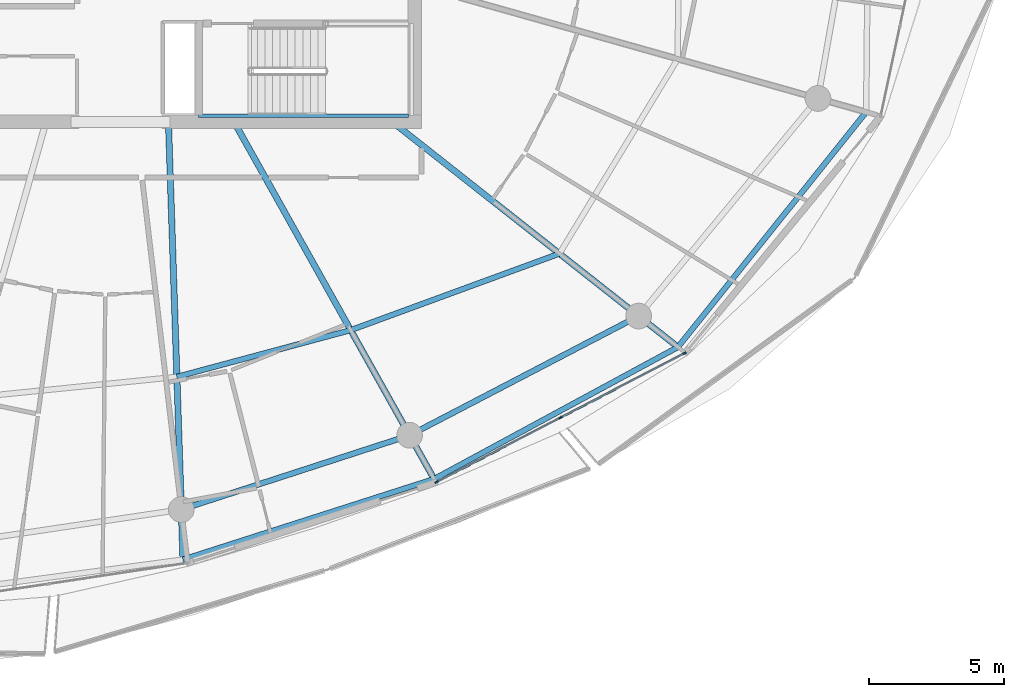
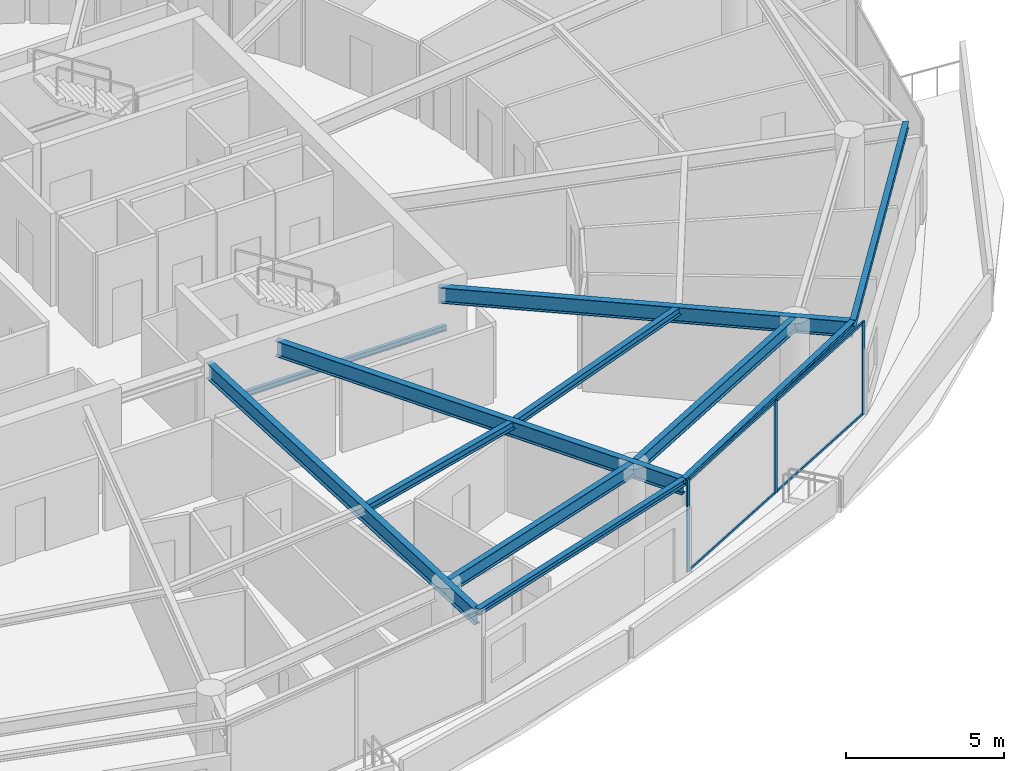
# One storey, part 10 of 31: 11 beams, 7 members, 1 element without a shape of its own.
"""IFC4 building model written with IfcOpenShell, lengths in metres."""

import ifcopenshell
import ifcopenshell.guid

model = None  # the IFC model being written
_history = None  # IfcOwnerHistory: only IFC2X3 demands one
_inside = {}  # id of a spatial element -> (the spatial element, [elements in it])
_under = {}  # id of a project, library or spatial element -> (it, [spatial elements below it])
_declared = {}  # id of a project -> (the project, [libraries it declares])
_typed = {}  # id of a type object -> (the type object, [elements of that type])
_made_of = {}  # id of a material, layer set ... -> (it, [elements and type objects made of it])


def new_model(schema):
    """Start an empty IFC model of exactly this schema.

    Asked for "IFC4X3", IfcOpenShell would pick the latest addendum, in which some entities
    have other attributes; the version numbers below select the first issue.
    IFC2X3 requires an IfcOwnerHistory on every rooted entity: one is made here for all.
    """
    global model, _history
    if schema == "IFC4X3":
        model = ifcopenshell.file(schema_version=(4, 3, 0, 0))
    else:
        model = ifcopenshell.file(schema=schema)
    _inside.clear()
    _under.clear()
    _declared.clear()
    _typed.clear()
    _made_of.clear()
    _history = None
    if model.schema == "IFC2X3":
        org = make("IfcOrganization", Name="unknown")
        user = make(
            "IfcPersonAndOrganization",
            ThePerson=make("IfcPerson", FamilyName="unknown"),
            TheOrganization=org,
        )
        app = make(
            "IfcApplication",
            ApplicationDeveloper=org,
            Version="unknown",
            ApplicationFullName="unknown",
            ApplicationIdentifier="unknown",
        )
        _history = make(
            "IfcOwnerHistory",
            OwningUser=user,
            OwningApplication=app,
            ChangeAction="ADDED",
            CreationDate=0,
        )
    return model


def make(cls, **values):
    """One entity of the class cls with the attributes given. An attribute that is None is left unset."""
    return model.create_entity(
        cls, **{name: value for name, value in values.items() if value is not None}
    )


def rooted(cls, **values):
    """An entity with a GlobalId (a new one), such as an element, a storey or a relation."""
    return make(cls, GlobalId=ifcopenshell.guid.new(), OwnerHistory=_history, **values)


def si_unit(unit_type, name, prefix=None):
    """IfcSIUnit, for example si_unit("LENGTHUNIT", "METRE", prefix="MILLI")."""
    return make("IfcSIUnit", UnitType=unit_type, Prefix=prefix, Name=name)


def assignment(units):
    """IfcUnitAssignment: the units of a project."""
    return None if units is None else make("IfcUnitAssignment", Units=units)


def point(xyz):
    """IfcCartesianPoint."""
    return None if xyz is None else make("IfcCartesianPoint", Coordinates=xyz)


def direction(xyz):
    """IfcDirection."""
    return None if xyz is None else make("IfcDirection", DirectionRatios=xyz)


def frame(location, z_axis=None, x_axis=None):
    """IfcAxis2Placement3D, a coordinate frame: its origin and axes. An axis left out is left unset."""
    return make(
        "IfcAxis2Placement3D",
        Location=point(location),
        Axis=direction(z_axis),
        RefDirection=direction(x_axis),
    )


def frame_2d(location, x_axis=None):
    """IfcAxis2Placement2D, a coordinate frame in the plane: its origin and x axis."""
    return make(
        "IfcAxis2Placement2D", Location=point(location), RefDirection=direction(x_axis)
    )


def origin():
    """The frame at (0, 0, 0) with its axes left unset."""
    return frame((0.0, 0.0, 0.0))


def origin_2d():
    """The frame at (0, 0) in the plane with its x axis left unset."""
    return frame_2d((0.0, 0.0))


def place(relative_to, where):
    """IfcLocalPlacement: puts the frame where relative to a parent placement (None: the world)."""
    return make(
        "IfcLocalPlacement", PlacementRelTo=relative_to, RelativePlacement=where
    )


def context(
    kind, dimensions, precision=None, world=None, true_north=None, identifier=None
):
    """IfcGeometricRepresentationContext, for example the 3D "Model" context."""
    return make(
        "IfcGeometricRepresentationContext",
        ContextIdentifier=identifier,
        ContextType=kind,
        CoordinateSpaceDimension=dimensions,
        Precision=precision,
        WorldCoordinateSystem=world,
        TrueNorth=true_north,
    )


def subcontext(parent, identifier, kind, view, scale=None):
    """IfcGeometricRepresentationSubContext, for example "Body" below "Model"."""
    return make(
        "IfcGeometricRepresentationSubContext",
        ContextIdentifier=identifier,
        ContextType=kind,
        ParentContext=parent,
        TargetScale=scale,
        TargetView=view,
    )


def project(units=None, contexts=None):
    """IfcProject with its units and contexts."""
    return rooted(
        "IfcProject",
        Name="project",
        RepresentationContexts=contexts,
        UnitsInContext=assignment(units),
    )


def spatial(cls, under=None, at=None, **own):
    """A site, building, storey or space (cls), placed at a placement, below another one or the project."""
    s = rooted(cls, ObjectPlacement=at, **own)
    if under is not None:
        _under.setdefault(under.id(), (under, []))[1].append(s)
    return s


def profile(cls, at=None, kind="AREA", **sizes):
    """A parametric profile (cls). Its sizes go by their IFC names, for example OverallWidth=200.0."""
    return make(cls, ProfileType=kind, Position=at, **sizes)


def rectangle(**sizes):
    """IfcRectangleProfileDef."""
    return profile("IfcRectangleProfileDef", **sizes)


def i_section(**sizes):
    """IfcIShapeProfileDef."""
    return profile("IfcIShapeProfileDef", **sizes)


def extrude(swept, where, along, depth):
    """IfcExtrudedAreaSolid: the profile swept, set in the frame where, extruded along a direction by depth."""
    return make(
        "IfcExtrudedAreaSolid",
        SweptArea=swept,
        Position=where,
        ExtrudedDirection=direction(along),
        Depth=depth,
    )


def shape(context_of_items, identifier, shape_type, items):
    """IfcShapeRepresentation: the items that make up one representation, for example the "Body"."""
    return make(
        "IfcShapeRepresentation",
        ContextOfItems=context_of_items,
        RepresentationIdentifier=identifier,
        RepresentationType=shape_type,
        Items=items,
    )


def material(Name=None, Category=None):
    """IfcMaterial."""
    return make("IfcMaterial", Name=Name, Category=Category)


def layer(
    of_material, thickness, ventilated=None, Name=None, Category=None, Priority=None
):
    """IfcMaterialLayer: one layer of a wall or slab, of a material (None: an air gap)."""
    return make(
        "IfcMaterialLayer",
        Material=of_material,
        LayerThickness=thickness,
        IsVentilated=ventilated,
        Name=Name,
        Category=Category,
        Priority=Priority,
    )


def layer_set(layers, Name=None):
    """IfcMaterialLayerSet."""
    return make("IfcMaterialLayerSet", MaterialLayers=layers, LayerSetName=Name)


def material_profile(
    of_material, cross_section, Name=None, Category=None, Priority=None
):
    """IfcMaterialProfile: a cross section and its material."""
    return make(
        "IfcMaterialProfile",
        Name=Name,
        Material=of_material,
        Profile=cross_section,
        Priority=Priority,
        Category=Category,
    )


def profile_set(profiles, Name=None, composite=None):
    """IfcMaterialProfileSet."""
    return make(
        "IfcMaterialProfileSet",
        Name=Name,
        MaterialProfiles=profiles,
        CompositeProfile=composite,
    )


def made_of(thing, what):
    """Note that an element or type object is made of a material, layer set ...; save() writes the relation."""
    if what is not None:
        _made_of.setdefault(what.id(), (what, []))[1].append(thing)
    return thing


def type_object(cls, material=None, **own):
    """A type object (cls), such as IfcWallType, which elements share."""
    return made_of(rooted(cls, **own), material)


def element(
    cls,
    number,
    at=None,
    inside=None,
    cuts=None,
    type_object=None,
    material=None,
    context=None,
    identifier="Body",
    shape_type=None,
    held_by="IfcProductDefinitionShape",
    body=None,
    shapes=None,
    **own,
):
    """One element of the class cls, such as IfcWall. Its Tag is "e" and its number.

    at: its placement. inside: the storey or other place that contains it. cuts: it is an
    opening in that element (IfcRelVoidsElement). A single representation is given by context,
    identifier, shape_type and body (its items); several are given by shapes. held_by: the class
    of the entity that holds the representations. save() writes the other relations.
    """
    e = rooted(cls, Tag="e%d" % number, ObjectPlacement=at, **own)
    if body is not None:
        shapes = [shape(context, identifier, shape_type, body)]
    if shapes is not None:
        e.Representation = make(held_by, Representations=shapes)
    if inside is not None:
        _inside.setdefault(inside.id(), (inside, []))[1].append(e)
    if cuts is not None:
        rooted(
            "IfcRelVoidsElement", RelatingBuildingElement=cuts, RelatedOpeningElement=e
        )
    if type_object is not None:
        _typed.setdefault(type_object.id(), (type_object, []))[1].append(e)
    return made_of(e, material)


def aggregate(whole, parts):
    """IfcRelAggregates: a whole, such as a stair, and the parts it consists of."""
    return rooted("IfcRelAggregates", RelatingObject=whole, RelatedObjects=parts)


def save(model, path):
    """Write the relations noted so far, then the file.

    IfcRelAggregates (storeys below a building ...), IfcRelContainedInSpatialStructure (elements
    in a storey), IfcRelDefinesByType, IfcRelAssociatesMaterial and IfcRelDeclares: one each for
    every whole, place, type object, material and project.
    """
    for whole, parts in _under.values():
        aggregate(whole, parts)
    for where, things in _inside.values():
        rooted(
            "IfcRelContainedInSpatialStructure",
            RelatedElements=things,
            RelatingStructure=where,
        )
    for kind, things in _typed.values():
        rooted("IfcRelDefinesByType", RelatedObjects=things, RelatingType=kind)
    for what, things in _made_of.values():
        rooted("IfcRelAssociatesMaterial", RelatedObjects=things, RelatingMaterial=what)
    for by, libraries in _declared.values():
        rooted("IfcRelDeclares", RelatingContext=by, RelatedDefinitions=libraries)
    model.write(path)


model = new_model("IFC4")

# Units and contexts
model_context = context("Model", 3, precision=1e-05, world=origin(), true_north=direction((0.0, 1.0)))
body_context = subcontext(model_context, "Body", "Model", "MODEL_VIEW")
ifc_project = project(units=[si_unit("LENGTHUNIT", "METRE"), si_unit("AREAUNIT", "SQUARE_METRE"), si_unit("VOLUMEUNIT", "CUBIC_METRE"), si_unit("PLANEANGLEUNIT", "RADIAN"), si_unit("MASSUNIT", "GRAM", prefix="KILO")], contexts=[model_context])

# Site, building, storey
site_placement = place(None, origin())
site = spatial("IfcSite", under=ifc_project, at=site_placement, CompositionType="ELEMENT")
building_placement = place(site_placement, origin())
building = spatial("IfcBuilding", under=site, at=building_placement, Name="Kazma Halo Residences", CompositionType="ELEMENT")
storey_placement = place(building_placement, frame((0.0, 0.0, 275.199951171875)))
storey = spatial("IfcBuildingStorey", under=building, at=storey_placement, Name="L69", CompositionType="ELEMENT", Elevation=275.199951171875)

# Beams
ifc_material_1 = material(Name="Steel S355", Category="steel")
ifc_material_profile_1 = material_profile(ifc_material_1, i_section(OverallWidth=0.201904296875, OverallDepth=0.2470703125, WebThickness=0.00732421875, FlangeThickness=0.010986328125, FilletRadius=0.011962890625, at=origin_2d()), Name="W250x49.1")
ifc_profile_set_1 = profile_set([ifc_material_profile_1], Name="Steel S355")
beam_type_1 = type_object("IfcBeamType", Name="BM-BAL-CANT", PredefinedType="BEAM", material=ifc_profile_set_1)
beam_1_placement = place(storey_placement, frame((50.732666015625, 17.580078125, 3.466552734375), z_axis=(0.952222879483, 0.305403974742, 0.0), x_axis=(-0.305403974742, 0.952222879483, 0.0)))
element("IfcBeam", 1, at=beam_1_placement, inside=storey, type_object=beam_type_1, Name="L69 wave-balcony tie beam 12", PredefinedType="BEAM", context=body_context, shape_type="SweptSolid", body=[
    extrude(i_section(OverallWidth=0.201904296875, OverallDepth=0.2470703125, WebThickness=0.00732421875, FlangeThickness=0.010986328125, FilletRadius=0.011962890625, at=origin_2d()), origin(), (0.0, 0.0, 1.0), 9.742431640625),
])
beam_2_placement = place(storey_placement, frame((60.009521484375, 20.555419921875, 3.466552734375), z_axis=(0.879517282036, 0.475866946321, 0.0), x_axis=(-0.475866946321, 0.879517282036, 0.0)))
element("IfcBeam", 2, at=beam_2_placement, inside=storey, type_object=beam_type_1, Name="L69 wave-balcony tie beam 13", PredefinedType="BEAM", context=body_context, shape_type="SweptSolid", body=[
    extrude(i_section(OverallWidth=0.201904296875, OverallDepth=0.2470703125, WebThickness=0.00732421875, FlangeThickness=0.010986328125, FilletRadius=0.011962890625, at=origin_2d()), origin(), (0.0, 0.0, 1.0), 10.243408203125),
])
beam_3_placement = place(storey_placement, frame((69.018798828125, 25.429931640625, 3.466552734375), z_axis=(0.625117912406, 0.780530329705, 0.0), x_axis=(-0.780530329705, 0.625117912406, 0.0)))
element("IfcBeam", 3, at=beam_3_placement, inside=storey, type_object=beam_type_1, Name="L69 wave-balcony tie beam 14", PredefinedType="BEAM", context=body_context, shape_type="SweptSolid", body=[
    extrude(i_section(OverallWidth=0.201904296875, OverallDepth=0.2470703125, WebThickness=0.00732421875, FlangeThickness=0.010986328125, FilletRadius=0.011962890625, at=origin_2d()), origin(), (0.0, 0.0, 1.0), 11.1220703125),
])
ifc_material_profile_2 = material_profile(ifc_material_1, i_section(OverallWidth=0.22802734375, OverallDepth=0.60791015625, WebThickness=0.01123046875, FlangeThickness=0.017333984375, FilletRadius=0.01806640625, at=origin_2d()), Name="W610x113")
ifc_profile_set_2 = profile_set([ifc_material_profile_2], Name="Steel S355")
beam_type_2 = type_object("IfcBeamType", Name="BM-RAD-W610", PredefinedType="BEAM", material=ifc_profile_set_2)
beam_4_placement = place(storey_placement, frame((50.199951171875, 33.64990234375, 3.2861328125), z_axis=(0.033131810975, -0.999450990845, 0.0), x_axis=(0.999450990845, 0.033131810975, 0.0)))
element("IfcBeam", 4, at=beam_4_placement, inside=storey, type_object=beam_type_2, Name="L69 radial floor beam 12", PredefinedType="BEAM", context=body_context, shape_type="SweptSolid", body=[
    extrude(i_section(OverallWidth=0.22802734375, OverallDepth=0.60791015625, WebThickness=0.01123046875, FlangeThickness=0.017333984375, FilletRadius=0.01806640625, at=origin_2d()), origin(), (0.0, 0.0, 1.0), 16.07861328125),
])
beam_5_placement = place(storey_placement, frame((52.67626953125, 33.64990234375, 3.2861328125), z_axis=(0.488620706085, -0.872496306918, 0.0), x_axis=(0.872496306918, 0.488620706085, 0.0)))
element("IfcBeam", 5, at=beam_5_placement, inside=storey, type_object=beam_type_2, Name="L69 radial floor beam 13", PredefinedType="BEAM", context=body_context, shape_type="SweptSolid", body=[
    extrude(i_section(OverallWidth=0.22802734375, OverallDepth=0.60791015625, WebThickness=0.01123046875, FlangeThickness=0.017333984375, FilletRadius=0.01806640625, at=origin_2d()), origin(), (0.0, 0.0, 1.0), 15.008056640625),
])
beam_6_placement = place(storey_placement, frame((58.591796875, 33.64990234375, 3.2861328125), z_axis=(0.785317474283, -0.619093260007, 0.0), x_axis=(0.619093260007, 0.785317474283, 0.0)))
element("IfcBeam", 6, at=beam_6_placement, inside=storey, type_object=beam_type_2, Name="L69 radial floor beam 14", PredefinedType="BEAM", context=body_context, shape_type="SweptSolid", body=[
    extrude(i_section(OverallWidth=0.22802734375, OverallDepth=0.60791015625, WebThickness=0.01123046875, FlangeThickness=0.017333984375, FilletRadius=0.01806640625, at=origin_2d()), origin(), (0.0, 0.0, 1.0), 13.27734375),
])
ifc_material_profile_3 = material_profile(ifc_material_1, i_section(OverallWidth=0.202880859375, OverallDepth=0.302978515625, WebThickness=0.007568359375, FlangeThickness=0.01318359375, FilletRadius=0.013916015625, at=origin_2d()), Name="W310x60")
ifc_profile_set_3 = profile_set([ifc_material_profile_3], Name="Steel S355")
beam_type_3 = type_object("IfcBeamType", Name="BM-SEC-W310A", PredefinedType="JOIST", material=ifc_profile_set_3)
beam_7_placement = place(storey_placement, frame((50.509033203125, 24.32958984375, 3.4384765625), z_axis=(0.965728418457, 0.259554660493, 0.0), x_axis=(-0.259554660493, 0.965728418457, 0.0)))
element("IfcBeam", 7, at=beam_7_placement, inside=storey, type_object=beam_type_3, Name="L69 circumferential floor joist 12", PredefinedType="JOIST", context=body_context, shape_type="SweptSolid", body=[
    extrude(i_section(OverallWidth=0.202880859375, OverallDepth=0.302978515625, WebThickness=0.007568359375, FlangeThickness=0.01318359375, FilletRadius=0.013916015625, at=origin_2d()), origin(), (0.0, 0.0, 1.0), 6.648193359375),
])
beam_8_placement = place(storey_placement, frame((56.929443359375, 26.05517578125, 3.4384765625), z_axis=(0.938873433212, 0.344262510896, 0.0), x_axis=(-0.344262510896, 0.938873433212, 0.0)))
element("IfcBeam", 8, at=beam_8_placement, inside=storey, type_object=beam_type_3, Name="L69 circumferential floor joist 13", PredefinedType="JOIST", context=body_context, shape_type="SweptSolid", body=[
    extrude(i_section(OverallWidth=0.202880859375, OverallDepth=0.302978515625, WebThickness=0.007568359375, FlangeThickness=0.01318359375, FilletRadius=0.013916015625, at=origin_2d()), origin(), (0.0, 0.0, 1.0), 8.212158203125),
])
ifc_material_profile_4 = material_profile(ifc_material_1, i_section(OverallWidth=0.208984375, OverallDepth=0.532958984375, WebThickness=0.01025390625, FlangeThickness=0.015625, FilletRadius=0.01611328125, at=origin_2d()), Name="W530x92")
ifc_profile_set_4 = profile_set([ifc_material_profile_4], Name="Steel S355")
beam_type_4 = type_object("IfcBeamType", Name="BM-SPN-W530", PredefinedType="BEAM", material=ifc_profile_set_4)
beam_9_placement = place(storey_placement, frame((50.67138671875, 19.42919921875, 3.323486328125), z_axis=(0.951053893407, 0.309025066679, 0.0), x_axis=(-0.309025066679, 0.951053893407, 0.0)))
element("IfcBeam", 9, at=beam_9_placement, inside=storey, type_object=beam_type_4, Name="L69 perimeter ring beam 12", PredefinedType="BEAM", context=body_context, shape_type="SweptSolid", body=[
    extrude(i_section(OverallWidth=0.208984375, OverallDepth=0.532958984375, WebThickness=0.01025390625, FlangeThickness=0.015625, FilletRadius=0.01611328125, at=origin_2d()), origin(), (0.0, 0.0, 1.0), 8.8681640625),
])
beam_10_placement = place(storey_placement, frame((59.10546875, 22.169677734375, 3.323486328125), z_axis=(0.886961047115, 0.461844238788, 0.0), x_axis=(-0.461844238788, 0.886961047115, 0.0)))
element("IfcBeam", 10, at=beam_10_placement, inside=storey, type_object=beam_type_4, Name="L69 perimeter ring beam 13", PredefinedType="BEAM", context=body_context, shape_type="SweptSolid", body=[
    extrude(i_section(OverallWidth=0.208984375, OverallDepth=0.532958984375, WebThickness=0.01025390625, FlangeThickness=0.015625, FilletRadius=0.01611328125, at=origin_2d()), origin(), (0.0, 0.0, 1.0), 9.5390625),
])
ifc_material_profile_5 = material_profile(ifc_material_1, i_section(OverallWidth=0.133056640625, OverallDepth=0.20703125, WebThickness=0.005859375, FlangeThickness=0.00830078125, FilletRadius=0.010009765625, at=origin_2d()), Name="W200x26.6")
ifc_profile_set_5 = profile_set([ifc_material_profile_5], Name="Steel S355")
beam_type_5 = type_object("IfcBeamType", Name="BM-TRIM-W200", PredefinedType="BEAM", material=ifc_profile_set_5)
beam_11_placement = place(storey_placement, frame((51.31005859375, 33.97998046875, 1.6201171875), z_axis=(1.0, 0.0, 0.0), x_axis=(0.0, 1.0, 0.0)))
element("IfcBeam", 11, at=beam_11_placement, inside=storey, type_object=beam_type_5, Name="L69 ST-03 landing south wall ledger", PredefinedType="BEAM", context=body_context, shape_type="SweptSolid", body=[
    extrude(i_section(OverallWidth=0.133056640625, OverallDepth=0.20703125, WebThickness=0.005859375, FlangeThickness=0.00830078125, FilletRadius=0.010009765625, at=origin_2d()), origin(), (0.0, 0.0, 1.0), 7.760009765625),
])

# Curtain wall, members
ifc_material_2 = material(Name="Aluminium AW-6063 T6 and Triple-Silver Low-E Glass", Category="aluminium")
ifc_layer = layer(ifc_material_2, 0.139892578125)
ifc_layer_set = layer_set([ifc_layer], Name="Aluminium AW-6063 T6 and Triple-Silver Low-E Glass")
curtain_wall_type = type_object("IfcCurtainWallType", Name="CW-SYS-5", PredefinedType="NOTDEFINED", material=ifc_layer_set)
curtain_wall_placement = place(storey_placement, origin())
curtain_wall = element("IfcCurtainWall", 12, at=curtain_wall_placement, inside=storey, type_object=curtain_wall_type, Name="L69 unitised curtain wall B13", PredefinedType="NOTDEFINED")
ifc_material_3 = material(Name="Aluminium AW-6063 T6", Category="aluminium")
ifc_material_profile_6 = material_profile(ifc_material_3, rectangle(XDim=0.06005859375, YDim=0.139892578125, at=origin_2d()), Name="CWM-60x140")
ifc_profile_set_6 = profile_set([ifc_material_profile_6], Name="Aluminium AW-6063 T6")
member_type_1 = type_object("IfcMemberType", Name="CW-SYS-5-MUL", PredefinedType="MULLION", material=ifc_profile_set_6)
member_1_placement = place(storey_placement, frame((60.105224609375, 20.446044921875, 0.0), z_axis=(0.0, 0.0, 1.0), x_axis=(-0.460960760804, 0.887420518694, 0.0)))
member_1 = element("IfcMember", 13, at=member_1_placement, type_object=member_type_1, Name="CWS-5 mullion 1", PredefinedType="MULLION", context=body_context, shape_type="SweptSolid", body=[
    extrude(rectangle(XDim=0.06005859375, YDim=0.139892578125, at=origin_2d()), origin(), (0.0, 0.0, 1.0), 3.590087890625),
])
member_2_placement = place(storey_placement, frame((64.68408203125, 22.824462890625, 0.0), z_axis=(0.0, 0.0, 1.0), x_axis=(-0.460960760804, 0.887420518694, 0.0)))
member_2 = element("IfcMember", 14, at=member_2_placement, type_object=member_type_1, Name="CWS-5 mullion 2", PredefinedType="MULLION", context=body_context, shape_type="SweptSolid", body=[
    extrude(rectangle(XDim=0.06005859375, YDim=0.139892578125, at=origin_2d()), origin(), (0.0, 0.0, 1.0), 3.590087890625),
])
member_3_placement = place(storey_placement, frame((69.262939453125, 25.202880859375, 0.0), z_axis=(0.0, 0.0, 1.0), x_axis=(-0.460960760804, 0.887420518694, 0.0)))
member_3 = element("IfcMember", 15, at=member_3_placement, type_object=member_type_1, Name="CWS-5 mullion 3", PredefinedType="MULLION", context=body_context, shape_type="SweptSolid", body=[
    extrude(rectangle(XDim=0.06005859375, YDim=0.139892578125, at=origin_2d()), origin(), (0.0, 0.0, 1.0), 3.590087890625),
])
ifc_material_profile_7 = material_profile(ifc_material_3, rectangle(XDim=0.06005859375, YDim=0.10498046875, at=origin_2d()), Name="CWT-60x105")
ifc_profile_set_7 = profile_set([ifc_material_profile_7], Name="Aluminium AW-6063 T6")
member_type_2 = type_object("IfcMemberType", Name="CW-SYS-5-TRN", PredefinedType="USERDEFINED", material=ifc_profile_set_7)
member_4_placement = place(storey_placement, frame((60.1318359375, 20.4599609375, 0.030029296875), z_axis=(0.887436955863, 0.46092911534, 0.0), x_axis=(-0.46092911534, 0.887436955863, 0.0)))
member_4 = element("IfcMember", 16, at=member_4_placement, type_object=member_type_2, Name="CWS-5 transom 1.1", ObjectType="TRANSOM", PredefinedType="USERDEFINED", context=body_context, shape_type="SweptSolid", body=[
    extrude(rectangle(XDim=0.06005859375, YDim=0.10498046875, at=origin_2d()), origin(), (0.0, 0.0, 1.0), 5.099609375),
])
member_5_placement = place(storey_placement, frame((60.1318359375, 20.4599609375, 3.56005859375), z_axis=(0.887436955863, 0.46092911534, 0.0), x_axis=(-0.46092911534, 0.887436955863, 0.0)))
member_5 = element("IfcMember", 17, at=member_5_placement, type_object=member_type_2, Name="CWS-5 transom 1.2", ObjectType="TRANSOM", PredefinedType="USERDEFINED", context=body_context, shape_type="SweptSolid", body=[
    extrude(rectangle(XDim=0.06005859375, YDim=0.10498046875, at=origin_2d()), origin(), (0.0, 0.0, 1.0), 5.099609375),
])
member_6_placement = place(storey_placement, frame((64.710693359375, 22.83837890625, 0.030029296875), z_axis=(0.887436955863, 0.46092911534, 0.0), x_axis=(-0.46092911534, 0.887436955863, 0.0)))
member_6 = element("IfcMember", 18, at=member_6_placement, type_object=member_type_2, Name="CWS-5 transom 2.1", ObjectType="TRANSOM", PredefinedType="USERDEFINED", context=body_context, shape_type="SweptSolid", body=[
    extrude(rectangle(XDim=0.06005859375, YDim=0.10498046875, at=origin_2d()), origin(), (0.0, 0.0, 1.0), 5.099609375),
])
member_7_placement = place(storey_placement, frame((64.710693359375, 22.83837890625, 3.56005859375), z_axis=(0.887436955863, 0.46092911534, 0.0), x_axis=(-0.46092911534, 0.887436955863, 0.0)))
member_7 = element("IfcMember", 19, at=member_7_placement, type_object=member_type_2, Name="CWS-5 transom 2.2", ObjectType="TRANSOM", PredefinedType="USERDEFINED", context=body_context, shape_type="SweptSolid", body=[
    extrude(rectangle(XDim=0.06005859375, YDim=0.10498046875, at=origin_2d()), origin(), (0.0, 0.0, 1.0), 5.099609375),
])
aggregate(curtain_wall, [member_1, member_2, member_3, member_4, member_5, member_6, member_7])

save(model, "model.ifc")
